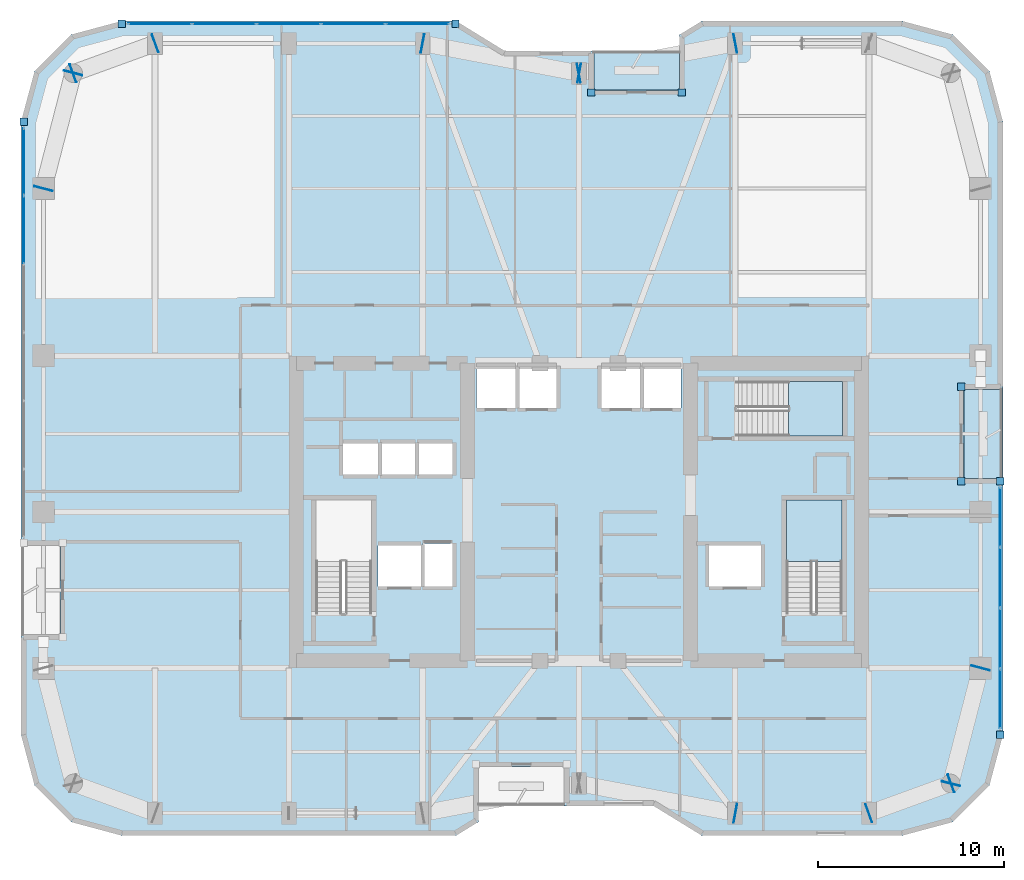
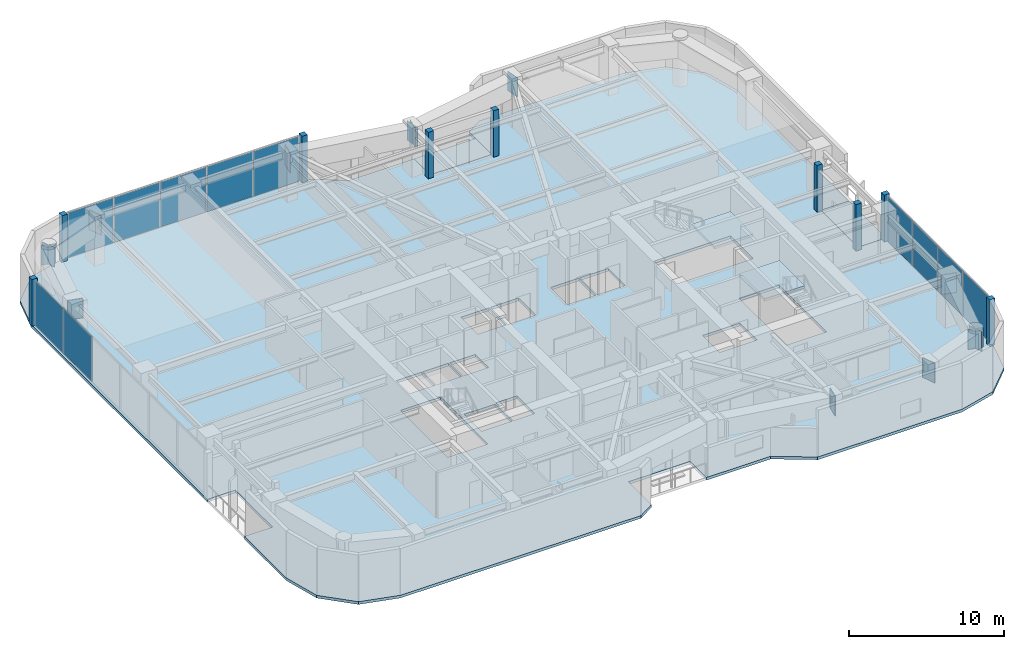
# One storey, part 22 of 30: 33 plates, 5 slabs, 5 elements without a shape of their own.
"""IFC4 building model written with IfcOpenShell, lengths in metres."""

from ifc_helpers import new_model, si_unit, direction, frame, origin, origin_2d, place, context, subcontext, project, spatial, polyline, rectangle, outline, extrude, material, layer, layer_set, type_object, element, aggregate, save


model = new_model("IFC4")

# Units and contexts
model_context = context("Model", 3, precision=1e-05, world=origin(), true_north=direction((0.0, 1.0)))
body_context = subcontext(model_context, "Body", "Model", "MODEL_VIEW")
ifc_project = project(units=[si_unit("LENGTHUNIT", "METRE"), si_unit("AREAUNIT", "SQUARE_METRE"), si_unit("VOLUMEUNIT", "CUBIC_METRE"), si_unit("PLANEANGLEUNIT", "RADIAN"), si_unit("MASSUNIT", "GRAM", prefix="KILO")], contexts=[model_context])

# Site, building, storey
site_placement = place(None, origin())
site = spatial("IfcSite", under=ifc_project, at=site_placement, CompositionType="ELEMENT")
building_placement = place(site_placement, origin())
building = spatial("IfcBuilding", under=site, at=building_placement, Name="Kiyonajd Concourse Tower", CompositionType="ELEMENT")
storey_placement = place(building_placement, frame((0.0, 0.0, 162.300048828125)))
storey = spatial("IfcBuildingStorey", under=building, at=storey_placement, Name="L41", CompositionType="ELEMENT", Elevation=162.300048828125)

# Plates
ifc_material_1 = material(Name="Steel ASTM A572 Grade 50", Category="steel")
ifc_layer_1 = layer(ifc_material_1, 0.031982421875)
ifc_layer_set_1 = layer_set([ifc_layer_1], Name="Steel ASTM A572 Grade 50")
plate_type_1 = type_object("IfcPlateType", Name="PL-CAP-540", PredefinedType="USERDEFINED", material=ifc_layer_set_1)
for number, where, z_axis, x_axis, name in (
    (1, (56.410888671875, 19.7978515625, 2.2099609375), (0.0, 0.0, 1.0), (0.982352599301, -0.187038420242, 0.0), "L41 Welded Box Girder End Cap"),
    (2, (63.589599609375, 19.796142578125, 2.2099609375), (0.0, 0.0, 1.0), (-0.939811951086, -0.341692107891, 0.0), "L41 Welded Box Girder End Cap"),
    (3, (68.01025390625, 21.40380859375, 2.2099609375), (0.0, 0.0, 1.0), (0.939811951086, 0.341692107891, 0.0), "L41 Welded Box Girder End Cap"),
    (4, (67.997314453125, 21.389404296875, 2.2099609375), (0.0, 0.0, 1.0), (-0.249873048837, -0.968278606324, 0.0), "L41 Welded Box Girder End Cap"),
    (5, (69.602783203125, 27.610595703125, 2.2099609375), (0.0, 0.0, 1.0), (0.249873048837, 0.968278606324, 0.0), "L41 Welded Box Girder End Cap"),
    (6, (56.410888671875, 61.2021484375, 2.2099609375), (0.0, 0.0, 1.0), (0.982352599301, 0.187038420242, 0.0), "L41 Welded Box Girder End Cap"),
    (7, (47.9892578125, 59.597900390625, 2.2099609375), (0.0, 0.0, 1.0), (-0.982352599301, -0.187038420242, 0.0), "L41 Welded Box Girder End Cap"),
    (8, (48.0107421875, 59.597900390625, 2.2099609375), (0.0, 0.0, 1.0), (0.982352599301, -0.187038420242, 0.0), "L41 Welded Box Girder End Cap"),
    (9, (39.589111328125, 61.2021484375, 2.2099609375), (0.0, 0.0, 1.0), (-0.982352599301, 0.187038420242, 0.0), "L41 Welded Box Girder End Cap"),
    (10, (25.210205078125, 61.203857421875, 2.2099609375), (0.0, 0.0, 1.0), (0.939811951086, 0.341692107891, 0.0), "L41 Welded Box Girder End Cap"),
    (11, (20.789794921875, 59.59619140625, 2.2099609375), (0.0, 0.0, 1.0), (-0.939811951086, -0.341692107891, 0.0), "L41 Welded Box Girder End Cap"),
    (12, (20.802734375, 59.610595703125, 2.2099609375), (0.0, 0.0, 1.0), (0.249873048837, 0.968278606324, 0.0), "L41 Welded Box Girder End Cap"),
    (13, (19.197265625, 53.389404296875, 2.2099609375), (0.0, 0.0, 1.0), (-0.249873048837, -0.968278606324, 0.0), "L41 Welded Box Girder End Cap"),
):
    element("IfcPlate", number, at=place(storey_placement, frame(where, z_axis=z_axis, x_axis=x_axis)), inside=storey, type_object=plate_type_1, Name=name, ObjectType="CAP PLATE", PredefinedType="USERDEFINED", context=body_context, shape_type="SweptSolid", body=[
        extrude(rectangle(XDim=0.035888671875, YDim=1.02001953125, at=origin_2d()), origin(), (0.0, 0.0, 1.0), 1.5400390625),
    ])

# Curtain wall, plates
ifc_material_2 = material(Name="Thermally Broken Anodised Aluminium", Category="aluminium")
ifc_layer_2 = layer(ifc_material_2, 0.179931640625)
ifc_layer_set_2 = layer_set([ifc_layer_2], Name="Thermally Broken Anodised Aluminium")
curtain_wall_type = type_object("IfcCurtainWallType", Name="CW-SYS-03", PredefinedType="NOTDEFINED", material=ifc_layer_set_2)
curtain_wall_1_placement = place(storey_placement, origin())
curtain_wall_1 = element("IfcCurtainWall", 14, at=curtain_wall_1_placement, inside=storey, type_object=curtain_wall_type, Name="L41 Unitised Curtain Wall CW3", PredefinedType="NOTDEFINED")
ifc_material_3 = material(Name="Double Low-E Insulated Glass", Category="glass")
ifc_layer_3 = layer(ifc_material_3, 0.033935546875)
ifc_layer_set_3 = layer_set([ifc_layer_3], Name="Double Low-E Insulated Glass")
plate_type_2 = type_object("IfcPlateType", Name="PL-CW-VIS34", PredefinedType="CURTAIN_PANEL", material=ifc_layer_set_3)
plate_1_placement = place(storey_placement, frame((18.139892578125, 51.17626953125, 0.06494140625), z_axis=(0.0, 0.0, 1.0), x_axis=(0.0, 1.0, 0.0)))
plate_1 = element("IfcPlate", 15, at=plate_1_placement, type_object=plate_type_2, Name="CW3 panel 5.1", PredefinedType="CURTAIN_PANEL", context=body_context, shape_type="SweptSolid", body=[
    extrude(rectangle(XDim=3.61181640625, YDim=0.033935546875, at=origin_2d()), origin(), (0.0, 0.0, 1.0), 3.550048828125),
])
plate_2_placement = place(storey_placement, frame((18.139892578125, 54.8369140625, 0.06494140625), z_axis=(0.0, 0.0, 1.0), x_axis=(0.0, 1.0, 0.0)))
plate_2 = element("IfcPlate", 16, at=plate_2_placement, type_object=plate_type_2, Name="CW3 panel 6.1", PredefinedType="CURTAIN_PANEL", context=body_context, shape_type="SweptSolid", body=[
    extrude(rectangle(XDim=3.579345703125, YDim=0.033935546875, at=origin_2d()), origin(), (0.0, 0.0, 1.0), 3.550048828125),
])
aggregate(curtain_wall_1, [plate_1, plate_2])

curtain_wall_2_placement = place(storey_placement, origin())
curtain_wall_2 = element("IfcCurtainWall", 17, at=curtain_wall_2_placement, inside=storey, type_object=curtain_wall_type, Name="L41 Unitised Curtain Wall CW3", PredefinedType="NOTDEFINED")
plate_3_placement = place(storey_placement, frame((25.4609375, 62.260009765625, 0.06494140625), z_axis=(0.0, 0.0, 1.0), x_axis=(1.0, 0.0, 0.0)))
plate_3 = element("IfcPlate", 18, at=plate_3_placement, type_object=plate_type_2, Name="CW3 panel 1.1", PredefinedType="CURTAIN_PANEL", context=body_context, shape_type="SweptSolid", body=[
    extrude(rectangle(XDim=3.375, YDim=0.033935546875, at=origin_2d()), origin(), (0.0, 0.0, 1.0), 3.550048828125),
])
plate_4_placement = place(storey_placement, frame((28.9169921875, 62.260009765625, 0.06494140625), z_axis=(0.0, 0.0, 1.0), x_axis=(1.0, 0.0, 0.0)))
plate_4 = element("IfcPlate", 19, at=plate_4_placement, type_object=plate_type_2, Name="CW3 panel 2.1", PredefinedType="CURTAIN_PANEL", context=body_context, shape_type="SweptSolid", body=[
    extrude(rectangle(XDim=3.407470703125, YDim=0.033935546875, at=origin_2d()), origin(), (0.0, 0.0, 1.0), 3.550048828125),
])
plate_5_placement = place(storey_placement, frame((32.389404296875, 62.260009765625, 0.06494140625), z_axis=(0.0, 0.0, 1.0), x_axis=(1.0, 0.0, 0.0)))
plate_5 = element("IfcPlate", 20, at=plate_5_placement, type_object=plate_type_2, Name="CW3 panel 3.1", PredefinedType="CURTAIN_PANEL", context=body_context, shape_type="SweptSolid", body=[
    extrude(rectangle(XDim=3.407470703125, YDim=0.033935546875, at=origin_2d()), origin(), (0.0, 0.0, 1.0), 3.550048828125),
])
plate_6_placement = place(storey_placement, frame((35.86181640625, 62.260009765625, 0.06494140625), z_axis=(0.0, 0.0, 1.0), x_axis=(1.0, 0.0, 0.0)))
plate_6 = element("IfcPlate", 21, at=plate_6_placement, type_object=plate_type_2, Name="CW3 panel 4.1", PredefinedType="CURTAIN_PANEL", context=body_context, shape_type="SweptSolid", body=[
    extrude(rectangle(XDim=3.407470703125, YDim=0.033935546875, at=origin_2d()), origin(), (0.0, 0.0, 1.0), 3.550048828125),
])
plate_7_placement = place(storey_placement, frame((39.31787109375, 62.260009765625, 0.06494140625), z_axis=(0.0, 0.0, 1.0), x_axis=(1.0, 0.0, 0.0)))
plate_7 = element("IfcPlate", 22, at=plate_7_placement, type_object=plate_type_2, Name="CW3 panel 5.1", PredefinedType="CURTAIN_PANEL", context=body_context, shape_type="SweptSolid", body=[
    extrude(rectangle(XDim=3.375, YDim=0.033935546875, at=origin_2d()), origin(), (0.0, 0.0, 1.0), 3.550048828125),
])
aggregate(curtain_wall_2, [plate_3, plate_4, plate_5, plate_6, plate_7])

curtain_wall_3_placement = place(storey_placement, origin())
curtain_wall_3 = element("IfcCurtainWall", 23, at=curtain_wall_3_placement, inside=storey, type_object=curtain_wall_type, Name="L41 Unitised Curtain Wall CW3", PredefinedType="NOTDEFINED")
plate_8_placement = place(storey_placement, frame((70.659912109375, 35.720947265625, 0.06494140625), z_axis=(0.0, 0.0, 1.0), x_axis=(0.0, -1.0, 0.0)))
plate_8 = element("IfcPlate", 24, at=plate_8_placement, type_object=plate_type_2, Name="CW3 panel 1.1", PredefinedType="CURTAIN_PANEL", context=body_context, shape_type="SweptSolid", body=[
    extrude(rectangle(XDim=3.16796875, YDim=0.033935546875, at=origin_2d()), origin(), (0.0, 0.0, 1.0), 3.550048828125),
])
plate_9_placement = place(storey_placement, frame((70.659912109375, 32.471923828125, 0.06494140625), z_axis=(0.0, 0.0, 1.0), x_axis=(0.0, -1.0, 0.0)))
plate_9 = element("IfcPlate", 25, at=plate_9_placement, type_object=plate_type_2, Name="CW3 panel 2.1", PredefinedType="CURTAIN_PANEL", context=body_context, shape_type="SweptSolid", body=[
    extrude(rectangle(XDim=3.200439453125, YDim=0.033935546875, at=origin_2d()), origin(), (0.0, 0.0, 1.0), 3.550048828125),
])
plate_10_placement = place(storey_placement, frame((70.659912109375, 29.20654296875, 0.06494140625), z_axis=(0.0, 0.0, 1.0), x_axis=(0.0, -1.0, 0.0)))
plate_10 = element("IfcPlate", 26, at=plate_10_placement, type_object=plate_type_2, Name="CW3 panel 3.1", PredefinedType="CURTAIN_PANEL", context=body_context, shape_type="SweptSolid", body=[
    extrude(rectangle(XDim=3.200439453125, YDim=0.033935546875, at=origin_2d()), origin(), (0.0, 0.0, 1.0), 3.550048828125),
])
plate_11_placement = place(storey_placement, frame((70.659912109375, 25.957275390625, 0.06494140625), z_axis=(0.0, 0.0, 1.0), x_axis=(0.0, -1.0, 0.0)))
plate_11 = element("IfcPlate", 27, at=plate_11_placement, type_object=plate_type_2, Name="CW3 panel 4.1", PredefinedType="CURTAIN_PANEL", context=body_context, shape_type="SweptSolid", body=[
    extrude(rectangle(XDim=3.16796875, YDim=0.033935546875, at=origin_2d()), origin(), (0.0, 0.0, 1.0), 3.550048828125),
])
aggregate(curtain_wall_3, [plate_8, plate_9, plate_10, plate_11])

# Plates
ifc_layer_4 = layer(ifc_material_2, 0.39990234375)
ifc_layer_set_4 = layer_set([ifc_layer_4], Name="Thermally Broken Anodised Aluminium")
plate_type_3 = type_object("IfcPlateType", Name="PL-JMB-400", PredefinedType="USERDEFINED", material=ifc_layer_set_4)
for number, where, z_axis, x_axis, name in (
    (28, (18.139892578125, 56.981689453125, 0.0), (0.0, 0.0, 1.0), (1.0, 0.0, 0.0), "L41 Facade Jamb Closure Plate 04"),
    (29, (23.41845703125, 62.260009765625, 0.0), (0.0, 0.0, 1.0), (1.0, 0.0, 0.0), "L41 Facade Jamb Closure Plate 05"),
    (30, (41.3603515625, 62.260009765625, 0.0), (0.0, 0.0, 1.0), (1.0, 0.0, 0.0), "L41 Facade Jamb Closure Plate 06"),
    (31, (48.659912109375, 58.56005859375, 0.0), (0.0, 0.0, 1.0), (1.0, 0.0, 0.0), "L41 Facade Jamb Closure Plate 07"),
    (32, (53.5400390625, 58.56005859375, 0.0), (0.0, 0.0, 1.0), (1.0, 0.0, 0.0), "L41 Facade Jamb Closure Plate 08"),
    (33, (68.56005859375, 42.739990234375, 0.0), (0.0, 0.0, 1.0), (1.0, 0.0, 0.0), "L41 Facade Jamb Closure Plate 09"),
    (34, (68.56005859375, 37.659912109375, 0.0), (0.0, 0.0, 1.0), (1.0, 0.0, 0.0), "L41 Facade Jamb Closure Plate 10"),
    (35, (70.659912109375, 37.659912109375, 0.0), (0.0, 0.0, 1.0), (1.0, 0.0, 0.0), "L41 Facade Jamb Closure Plate 11"),
    (36, (70.659912109375, 24.018310546875, 0.0), (0.0, 0.0, 1.0), (1.0, 0.0, 0.0), "L41 Facade Jamb Closure Plate 12"),
):
    element("IfcPlate", number, at=place(storey_placement, frame(where, z_axis=z_axis, x_axis=x_axis)), inside=storey, type_object=plate_type_3, Name=name, ObjectType="JAMB PLATE", PredefinedType="USERDEFINED", context=body_context, shape_type="SweptSolid", body=[
        extrude(rectangle(XDim=0.39990234375, YDim=0.39990234375, at=origin_2d()), origin(), (0.0, 0.0, 1.0), 3.679931640625),
    ])

# Stair, slab
ifc_material_4 = material(Name="Concrete C40/50", Category="concrete")
stair_type = type_object("IfcStairType", Name="ST-DLG-22R", PredefinedType="HALF_TURN_STAIR", material=ifc_material_4)
stair_1_placement = place(storey_placement, origin())
stair_1 = element("IfcStair", 37, at=stair_1_placement, inside=storey, type_object=stair_type, Name="L41 Protected Exit Stair ST2", PredefinedType="HALF_TURN_STAIR")
ifc_layer_5 = layer(ifc_material_4, 0.199951171875)
ifc_layer_set_5 = layer_set([ifc_layer_5], Name="Concrete C40/50")
slab_type_1 = type_object("IfcSlabType", Name="SL-LND-200", PredefinedType="LANDING", material=ifc_layer_set_5)
slab_1_placement = place(storey_placement, frame((0.0, 0.0, 1.75)))
slab_1 = element("IfcSlab", 38, at=slab_1_placement, type_object=slab_type_1, Name="ST2 landing 1", PredefinedType="LANDING", context=body_context, shape_type="SweptSolid", body=[
    extrude(outline(polyline([(62.14990234375, 33.35009765625), (62.14990234375, 36.64990234375), (59.14990234375, 36.64990234375), (59.14990234375, 33.35009765625), (62.14990234375, 33.35009765625)])), origin(), (0.0, 0.0, 1.0), 0.199951171875),
])
aggregate(stair_1, [slab_1])

stair_2_placement = place(storey_placement, origin())
stair_2 = element("IfcStair", 39, at=stair_2_placement, inside=storey, type_object=stair_type, Name="L41 Protected Exit Stair ST3", PredefinedType="HALF_TURN_STAIR")
slab_2_placement = place(storey_placement, frame((0.0, 0.0, 1.75)))
slab_2 = element("IfcSlab", 40, at=slab_2_placement, type_object=slab_type_1, Name="ST3 landing 1", PredefinedType="LANDING", context=body_context, shape_type="SweptSolid", body=[
    extrude(outline(polyline([(59.280029296875, 40.080078125), (62.179931640625, 40.080078125), (62.179931640625, 43.02001953125), (59.280029296875, 43.02001953125), (59.280029296875, 40.080078125)])), origin(), (0.0, 0.0, 1.0), 0.199951171875),
])
aggregate(stair_2, [slab_2])

# Slabs
ifc_material_5 = material(Name="Precast concrete C50/60", Category="concrete")
ifc_layer_6 = layer(ifc_material_5, 0.199951171875)
ifc_layer_set_6 = layer_set([ifc_layer_6], Name="Precast concrete C50/60")
slab_type_2 = type_object("IfcSlabType", Name="SL-LOG-200", PredefinedType="FLOOR", material=ifc_layer_set_6)
slab_3_placement = place(storey_placement, frame((0.0, 0.0, -0.199951171875)))
element("IfcSlab", 41, at=slab_3_placement, inside=storey, type_object=slab_type_2, Name="L41 Recessed Engawa Loggia Terrace Slab LOG-N", PredefinedType="FLOOR", context=body_context, shape_type="SweptSolid", body=[
    extrude(outline(polyline([(48.800048828125, 58.699951171875), (53.39990234375, 58.699951171875), (53.39990234375, 60.800048828125), (48.800048828125, 60.800048828125), (48.800048828125, 58.699951171875)])), origin(), (0.0, 0.0, 1.0), 0.199951171875),
])
slab_4_placement = place(storey_placement, frame((0.0, 0.0, -0.199951171875)))
element("IfcSlab", 42, at=slab_4_placement, inside=storey, type_object=slab_type_2, Name="L41 Recessed Engawa Loggia Terrace Slab LOG-E", PredefinedType="FLOOR", context=body_context, shape_type="SweptSolid", body=[
    extrude(outline(polyline([(68.699951171875, 37.800048828125), (70.800048828125, 37.800048828125), (70.800048828125, 42.60009765625), (68.699951171875, 42.60009765625), (68.699951171875, 37.800048828125)])), origin(), (0.0, 0.0, 1.0), 0.199951171875),
])
ifc_layer_7 = layer(ifc_material_4, 0.219970703125)
ifc_layer_set_7 = layer_set([ifc_layer_7], Name="Concrete C40/50")
slab_type_3 = type_object("IfcSlabType", Name="SL-TWR-220", PredefinedType="FLOOR", material=ifc_layer_set_7)
slab_5_placement = place(storey_placement, frame((0.0, 0.0, -0.219970703125)))
element("IfcSlab", 43, at=slab_5_placement, inside=storey, type_object=slab_type_3, Name="L41 Tower Conditioned Floor Slab", PredefinedType="FLOOR", context=body_context, shape_type="SweptSolid", body=[
    extrude(outline(polyline([(18.722900390625, 21.300048828125), (18.0, 24.0), (18.0, 29.39990234375), (20.10009765625, 29.39990234375), (20.10009765625, 34.199951171875), (18.0, 34.199951171875), (18.0, 57.0), (18.722900390625, 59.699951171875), (20.699951171875, 61.677001953125), (23.39990234375, 62.39990234375), (41.39990234375, 62.39990234375), (44.0, 60.800048828125), (48.800048828125, 60.800048828125), (48.800048828125, 58.699951171875), (53.39990234375, 58.699951171875), (53.39990234375, 61.662109375), (54.60009765625, 62.39990234375), (65.39990234375, 62.39990234375), (68.10009765625, 61.677001953125), (70.076904296875, 59.699951171875), (70.800048828125, 57.0), (70.800048828125, 42.60009765625), (68.699951171875, 42.60009765625), (68.699951171875, 37.800048828125), (70.800048828125, 37.800048828125), (70.800048828125, 24.0), (70.076904296875, 21.300048828125), (68.10009765625, 19.322998046875), (65.39990234375, 18.60009765625), (54.60009765625, 18.60009765625), (52.0, 20.199951171875), (47.199951171875, 20.199951171875), (47.199951171875, 22.300048828125), (42.60009765625, 22.300048828125), (42.60009765625, 19.337890625), (41.39990234375, 18.60009765625), (23.39990234375, 18.60009765625), (20.699951171875, 19.322998046875), (18.722900390625, 21.300048828125)]), holes=[polyline([(39.5, 32.0), (37.199951171875, 32.0), (37.199951171875, 34.199951171875), (39.5, 34.199951171875), (39.5, 32.0)]), polyline([(39.60009765625, 32.0), (39.60009765625, 34.300048828125), (41.199951171875, 34.300048828125), (41.199951171875, 32.0), (39.60009765625, 32.0)]), polyline([(33.85009765625, 30.550048828125), (33.85009765625, 36.64990234375), (36.85009765625, 36.64990234375), (36.85009765625, 30.550048828125), (33.85009765625, 30.550048828125)]), polyline([(37.199951171875, 38.0), (35.300048828125, 38.0), (35.300048828125, 39.699951171875), (37.199951171875, 39.699951171875), (37.199951171875, 38.0)]), polyline([(37.300048828125, 38.0), (37.300048828125, 39.699951171875), (39.199951171875, 39.699951171875), (39.199951171875, 38.0), (37.300048828125, 38.0)]), polyline([(39.300048828125, 38.0), (39.300048828125, 39.699951171875), (41.199951171875, 39.699951171875), (41.199951171875, 38.0), (39.300048828125, 38.0)]), polyline([(44.60009765625, 41.60009765625), (42.5, 41.60009765625), (42.5, 43.800048828125), (44.60009765625, 43.800048828125), (44.60009765625, 41.60009765625)]), polyline([(55.0, 32.0), (55.0, 34.199951171875), (57.800048828125, 34.199951171875), (57.800048828125, 32.0), (55.0, 32.0)]), polyline([(59.14990234375, 30.550048828125), (59.14990234375, 36.64990234375), (62.14990234375, 36.64990234375), (62.14990234375, 30.550048828125), (59.14990234375, 30.550048828125)]), polyline([(56.47998046875, 43.02001953125), (62.179931640625, 43.02001953125), (62.179931640625, 40.080078125), (56.47998046875, 40.080078125), (56.47998046875, 43.02001953125)]), polyline([(44.699951171875, 41.60009765625), (44.699951171875, 43.800048828125), (46.800048828125, 43.800048828125), (46.800048828125, 41.60009765625), (44.699951171875, 41.60009765625)]), polyline([(49.199951171875, 41.60009765625), (49.199951171875, 43.800048828125), (51.300048828125, 43.800048828125), (51.300048828125, 41.60009765625), (49.199951171875, 41.60009765625)]), polyline([(51.39990234375, 41.60009765625), (51.39990234375, 43.800048828125), (53.5, 43.800048828125), (53.5, 41.60009765625), (51.39990234375, 41.60009765625)])]), origin(), (0.0, 0.0, 1.0), 0.219970703125),
])

save(model, "model.ifc")
